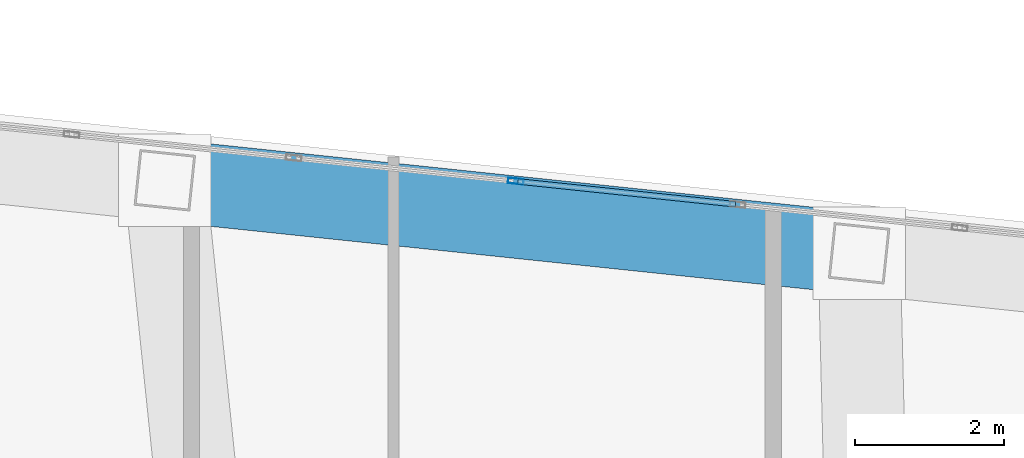
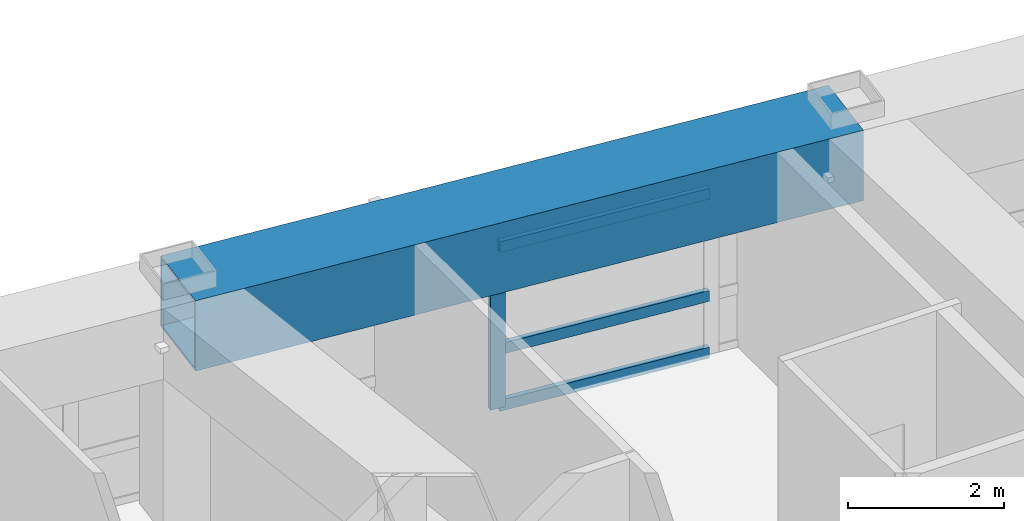
# One storey, part 4 of 16: 4 members, 1 beam, 1 element without a shape of its own.
"""IFC4 building model written with IfcOpenShell, lengths in metres."""

from ifc_helpers import new_model, si_unit, direction, frame, origin, origin_2d, place, context, subcontext, project, spatial, hollow_rectangle, extrude, material, layer, layer_set, material_profile, profile_set, type_object, element, aggregate, save


model = new_model("IFC4")

# Units and contexts
model_context = context("Model", 3, precision=1e-05, world=origin(), true_north=direction((0.0, 1.0)))
body_context = subcontext(model_context, "Body", "Model", "MODEL_VIEW")
ifc_project = project(units=[si_unit("LENGTHUNIT", "METRE"), si_unit("AREAUNIT", "SQUARE_METRE"), si_unit("VOLUMEUNIT", "CUBIC_METRE"), si_unit("PLANEANGLEUNIT", "RADIAN"), si_unit("MASSUNIT", "GRAM", prefix="KILO")], contexts=[model_context])

# Site, building, storey
site_placement = place(None, origin())
site = spatial("IfcSite", under=ifc_project, at=site_placement, CompositionType="ELEMENT")
building_placement = place(site_placement, origin())
building = spatial("IfcBuilding", under=site, at=building_placement, Name="Voryun Gate Residences", CompositionType="ELEMENT")
storey_placement = place(building_placement, frame((0.0, 0.0, 260.0)))
storey = spatial("IfcBuildingStorey", under=building, at=storey_placement, Name="L64", CompositionType="ELEMENT", Elevation=260.0)

# Beam
ifc_material_1 = material(Name="Steel SM420", Category="steel")
ifc_material_profile_1 = material_profile(ifc_material_1, hollow_rectangle(XDim=1.10009765625, YDim=1.10009765625, WallThickness=0.035888671875, at=origin_2d()), Name="BOX-1100x1100x36")
ifc_profile_set_1 = profile_set([ifc_material_profile_1], Name="Steel SM420")
beam_type = type_object("IfcBeamType", Name="BM_ARCH_RIB", PredefinedType="USERDEFINED", material=ifc_profile_set_1)
beam_placement = place(storey_placement, frame((3.95166015625, 17.561279296875, 3.10009765625), z_axis=(-0.994520592114, 0.104540862157, 0.0), x_axis=(-0.104540862157, -0.994520592114, 0.0)))
element("IfcBeam", 1, at=beam_placement, inside=storey, type_object=beam_type, Name="BM-L64-SPAND-13", ObjectType="GIRDER", PredefinedType="USERDEFINED", context=body_context, shape_type="SweptSolid", body=[
    extrude(hollow_rectangle(XDim=1.10009765625, YDim=1.10009765625, WallThickness=0.035888671875, at=origin_2d()), origin(), (0.0, 0.0, 1.0), 9.360107421875),
])

# Curtain wall, members
ifc_material_2 = material(Name="Anodised aluminium", Category="aluminium")
ifc_layer = layer(ifc_material_2, 0.2099609375, Name="CW_SYS_SKYGARDEN_DARK_GLASS")
ifc_layer_set = layer_set([ifc_layer], Name="Anodised aluminium")
curtain_wall_type = type_object("IfcCurtainWallType", Name="CW_SYS_SKYGARDEN_DARK_GLASS", PredefinedType="NOTDEFINED", material=ifc_layer_set)
curtain_wall_placement = place(storey_placement, origin())
curtain_wall = element("IfcCurtainWall", 2, at=curtain_wall_placement, inside=storey, type_object=curtain_wall_type, Name="Curtain wall CW5-L64-SG-11", PredefinedType="NOTDEFINED")
ifc_material_3 = material(Name="Anodised aluminium", Category="aluminium")
ifc_material_profile_2 = material_profile(ifc_material_3, hollow_rectangle(XDim=0.074951171875, YDim=0.2099609375, WallThickness=0.0048828125, at=origin_2d()), Name="ALU-MULL-210x75x5")
ifc_profile_set_2 = profile_set([ifc_material_profile_2], Name="Anodised aluminium")
member_type_1 = type_object("IfcMemberType", Name="CW_MULL_SKY", PredefinedType="MULLION", material=ifc_profile_set_2)
member_1_placement = place(storey_placement, frame((-0.652587890625, 18.52783203125, 0.0), z_axis=(0.0, 0.0, 1.0), x_axis=(0.104532256285, 0.994521496699, 0.0)))
member_1 = element("IfcMember", 3, at=member_1_placement, type_object=member_type_1, Name="CW5 mullion 6", PredefinedType="MULLION", context=body_context, shape_type="SweptSolid", body=[
    extrude(hollow_rectangle(XDim=0.074951171875, YDim=0.2099609375, WallThickness=0.0048828125, at=origin_2d()), origin(), (0.0, 0.0, 1.0), 2.5400390625),
])
ifc_material_4 = material(Name="Anodised aluminium", Category="aluminium")
ifc_material_profile_3 = material_profile(ifc_material_4, hollow_rectangle(XDim=0.074951171875, YDim=0.169921875, WallThickness=0.0048828125, at=origin_2d()), Name="ALU-TRAN-170x75x5")
ifc_profile_set_3 = profile_set([ifc_material_profile_3], Name="Anodised aluminium")
member_type_2 = type_object("IfcMemberType", Name="CW_TRAN_SKY", PredefinedType="USERDEFINED", material=ifc_profile_set_3)
member_2_placement = place(storey_placement, frame((-0.622802734375, 18.52490234375, 0.030029296875), z_axis=(0.994520038301, -0.104546130575, 0.0), x_axis=(0.104546130575, 0.994520038301, 0.0)))
member_2 = element("IfcMember", 4, at=member_2_placement, type_object=member_type_2, Name="CW5 transom 6.1", ObjectType="TRANSOM", PredefinedType="USERDEFINED", context=body_context, shape_type="SweptSolid", body=[
    extrude(hollow_rectangle(XDim=0.074951171875, YDim=0.169921875, WallThickness=0.0048828125, at=origin_2d()), origin(), (0.0, 0.0, 1.0), 2.93310546875),
])
member_3_placement = place(storey_placement, frame((-0.622802734375, 18.52490234375, 0.914306640625), z_axis=(0.994520038301, -0.104546130575, 0.0), x_axis=(0.104546130575, 0.994520038301, 0.0)))
member_3 = element("IfcMember", 5, at=member_3_placement, type_object=member_type_2, Name="CW5 transom 6.2", ObjectType="TRANSOM", PredefinedType="USERDEFINED", context=body_context, shape_type="SweptSolid", body=[
    extrude(hollow_rectangle(XDim=0.074951171875, YDim=0.169921875, WallThickness=0.0048828125, at=origin_2d()), origin(), (0.0, 0.0, 1.0), 2.93310546875),
])
member_4_placement = place(storey_placement, frame((-0.622802734375, 18.52490234375, 2.510009765625), z_axis=(0.994520038301, -0.104546130575, 0.0), x_axis=(0.104546130575, 0.994520038301, 0.0)))
member_4 = element("IfcMember", 6, at=member_4_placement, type_object=member_type_2, Name="CW5 transom 6.3", ObjectType="TRANSOM", PredefinedType="USERDEFINED", context=body_context, shape_type="SweptSolid", body=[
    extrude(hollow_rectangle(XDim=0.074951171875, YDim=0.169921875, WallThickness=0.0048828125, at=origin_2d()), origin(), (0.0, 0.0, 1.0), 2.93310546875),
])
aggregate(curtain_wall, [member_1, member_2, member_3, member_4])

save(model, "model.ifc")
